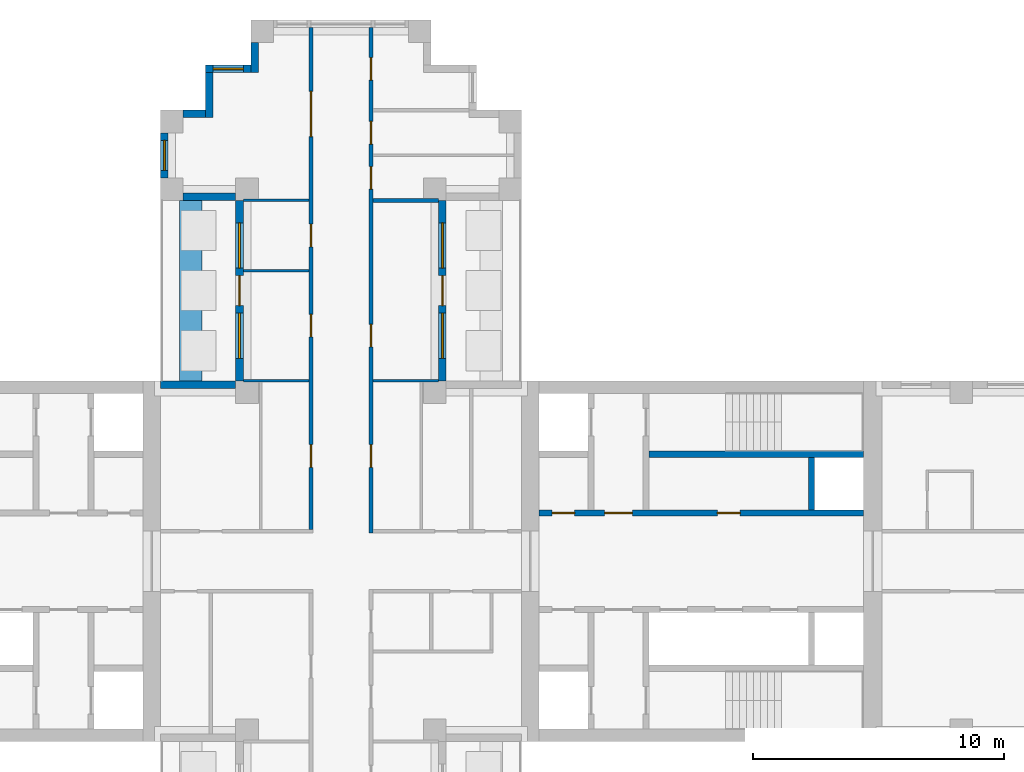
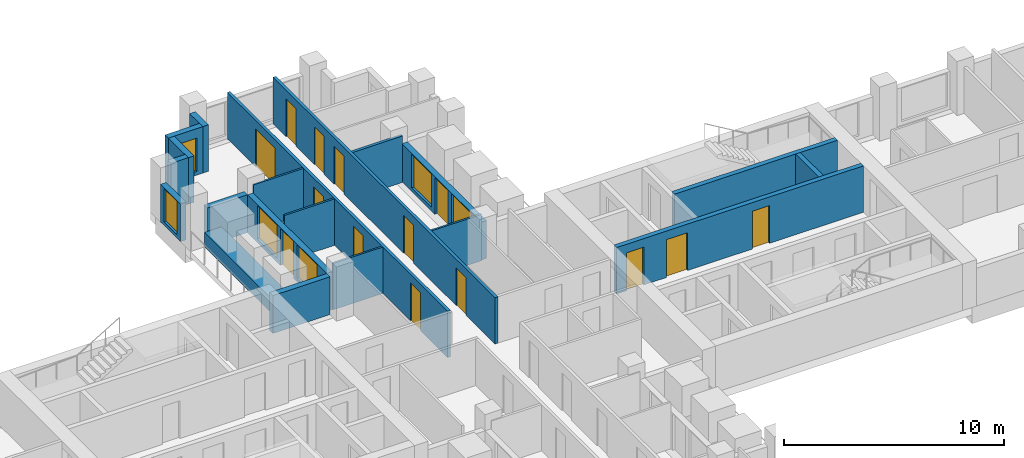
# One storey, part 9 of 14: 20 walls, 14 doors, 6 windows, 20 openings.
"""IFC4 building model written with IfcOpenShell, lengths in metres."""

import ifcopenshell
import ifcopenshell.guid

model = None  # the IFC model being written
_history = None  # IfcOwnerHistory: only IFC2X3 demands one
_inside = {}  # id of a spatial element -> (the spatial element, [elements in it])
_under = {}  # id of a project, library or spatial element -> (it, [spatial elements below it])
_declared = {}  # id of a project -> (the project, [libraries it declares])
_typed = {}  # id of a type object -> (the type object, [elements of that type])
_made_of = {}  # id of a material, layer set ... -> (it, [elements and type objects made of it])


def new_model(schema):
    """Start an empty IFC model of exactly this schema.

    Asked for "IFC4X3", IfcOpenShell would pick the latest addendum, in which some entities
    have other attributes; the version numbers below select the first issue.
    IFC2X3 requires an IfcOwnerHistory on every rooted entity: one is made here for all.
    """
    global model, _history
    if schema == "IFC4X3":
        model = ifcopenshell.file(schema_version=(4, 3, 0, 0))
    else:
        model = ifcopenshell.file(schema=schema)
    _inside.clear()
    _under.clear()
    _declared.clear()
    _typed.clear()
    _made_of.clear()
    _history = None
    if model.schema == "IFC2X3":
        org = make("IfcOrganization", Name="unknown")
        user = make(
            "IfcPersonAndOrganization",
            ThePerson=make("IfcPerson", FamilyName="unknown"),
            TheOrganization=org,
        )
        app = make(
            "IfcApplication",
            ApplicationDeveloper=org,
            Version="unknown",
            ApplicationFullName="unknown",
            ApplicationIdentifier="unknown",
        )
        _history = make(
            "IfcOwnerHistory",
            OwningUser=user,
            OwningApplication=app,
            ChangeAction="ADDED",
            CreationDate=0,
        )
    return model


def make(cls, **values):
    """One entity of the class cls with the attributes given. An attribute that is None is left unset."""
    return model.create_entity(
        cls, **{name: value for name, value in values.items() if value is not None}
    )


def rooted(cls, **values):
    """An entity with a GlobalId (a new one), such as an element, a storey or a relation."""
    return make(cls, GlobalId=ifcopenshell.guid.new(), OwnerHistory=_history, **values)


def si_unit(unit_type, name, prefix=None):
    """IfcSIUnit, for example si_unit("LENGTHUNIT", "METRE", prefix="MILLI")."""
    return make("IfcSIUnit", UnitType=unit_type, Prefix=prefix, Name=name)


def assignment(units):
    """IfcUnitAssignment: the units of a project."""
    return None if units is None else make("IfcUnitAssignment", Units=units)


def point(xyz):
    """IfcCartesianPoint."""
    return None if xyz is None else make("IfcCartesianPoint", Coordinates=xyz)


def direction(xyz):
    """IfcDirection."""
    return None if xyz is None else make("IfcDirection", DirectionRatios=xyz)


def frame(location, z_axis=None, x_axis=None):
    """IfcAxis2Placement3D, a coordinate frame: its origin and axes. An axis left out is left unset."""
    return make(
        "IfcAxis2Placement3D",
        Location=point(location),
        Axis=direction(z_axis),
        RefDirection=direction(x_axis),
    )


def frame_2d(location, x_axis=None):
    """IfcAxis2Placement2D, a coordinate frame in the plane: its origin and x axis."""
    return make(
        "IfcAxis2Placement2D", Location=point(location), RefDirection=direction(x_axis)
    )


def origin():
    """The frame at (0, 0, 0) with its axes left unset."""
    return frame((0.0, 0.0, 0.0))


def place(relative_to, where):
    """IfcLocalPlacement: puts the frame where relative to a parent placement (None: the world)."""
    return make(
        "IfcLocalPlacement", PlacementRelTo=relative_to, RelativePlacement=where
    )


def context(
    kind, dimensions, precision=None, world=None, true_north=None, identifier=None
):
    """IfcGeometricRepresentationContext, for example the 3D "Model" context."""
    return make(
        "IfcGeometricRepresentationContext",
        ContextIdentifier=identifier,
        ContextType=kind,
        CoordinateSpaceDimension=dimensions,
        Precision=precision,
        WorldCoordinateSystem=world,
        TrueNorth=true_north,
    )


def subcontext(parent, identifier, kind, view, scale=None):
    """IfcGeometricRepresentationSubContext, for example "Body" below "Model"."""
    return make(
        "IfcGeometricRepresentationSubContext",
        ContextIdentifier=identifier,
        ContextType=kind,
        ParentContext=parent,
        TargetScale=scale,
        TargetView=view,
    )


def project(units=None, contexts=None):
    """IfcProject with its units and contexts."""
    return rooted(
        "IfcProject",
        Name="project",
        RepresentationContexts=contexts,
        UnitsInContext=assignment(units),
    )


def spatial(cls, under=None, at=None, **own):
    """A site, building, storey or space (cls), placed at a placement, below another one or the project."""
    s = rooted(cls, ObjectPlacement=at, **own)
    if under is not None:
        _under.setdefault(under.id(), (under, []))[1].append(s)
    return s


def profile(cls, at=None, kind="AREA", **sizes):
    """A parametric profile (cls). Its sizes go by their IFC names, for example OverallWidth=200.0."""
    return make(cls, ProfileType=kind, Position=at, **sizes)


def rectangle(**sizes):
    """IfcRectangleProfileDef."""
    return profile("IfcRectangleProfileDef", **sizes)


def extrude(swept, where, along, depth):
    """IfcExtrudedAreaSolid: the profile swept, set in the frame where, extruded along a direction by depth."""
    return make(
        "IfcExtrudedAreaSolid",
        SweptArea=swept,
        Position=where,
        ExtrudedDirection=direction(along),
        Depth=depth,
    )


def shape(context_of_items, identifier, shape_type, items):
    """IfcShapeRepresentation: the items that make up one representation, for example the "Body"."""
    return make(
        "IfcShapeRepresentation",
        ContextOfItems=context_of_items,
        RepresentationIdentifier=identifier,
        RepresentationType=shape_type,
        Items=items,
    )


def material(Name=None, Category=None):
    """IfcMaterial."""
    return make("IfcMaterial", Name=Name, Category=Category)


def layer(
    of_material, thickness, ventilated=None, Name=None, Category=None, Priority=None
):
    """IfcMaterialLayer: one layer of a wall or slab, of a material (None: an air gap)."""
    return make(
        "IfcMaterialLayer",
        Material=of_material,
        LayerThickness=thickness,
        IsVentilated=ventilated,
        Name=Name,
        Category=Category,
        Priority=Priority,
    )


def layer_set(layers, Name=None):
    """IfcMaterialLayerSet."""
    return make("IfcMaterialLayerSet", MaterialLayers=layers, LayerSetName=Name)


def made_of(thing, what):
    """Note that an element or type object is made of a material, layer set ...; save() writes the relation."""
    if what is not None:
        _made_of.setdefault(what.id(), (what, []))[1].append(thing)
    return thing


def type_object(cls, material=None, **own):
    """A type object (cls), such as IfcWallType, which elements share."""
    return made_of(rooted(cls, **own), material)


def element(
    cls,
    number,
    at=None,
    inside=None,
    cuts=None,
    type_object=None,
    material=None,
    context=None,
    identifier="Body",
    shape_type=None,
    held_by="IfcProductDefinitionShape",
    body=None,
    shapes=None,
    **own,
):
    """One element of the class cls, such as IfcWall. Its Tag is "e" and its number.

    at: its placement. inside: the storey or other place that contains it. cuts: it is an
    opening in that element (IfcRelVoidsElement). A single representation is given by context,
    identifier, shape_type and body (its items); several are given by shapes. held_by: the class
    of the entity that holds the representations. save() writes the other relations.
    """
    e = rooted(cls, Tag="e%d" % number, ObjectPlacement=at, **own)
    if body is not None:
        shapes = [shape(context, identifier, shape_type, body)]
    if shapes is not None:
        e.Representation = make(held_by, Representations=shapes)
    if inside is not None:
        _inside.setdefault(inside.id(), (inside, []))[1].append(e)
    if cuts is not None:
        rooted(
            "IfcRelVoidsElement", RelatingBuildingElement=cuts, RelatedOpeningElement=e
        )
    if type_object is not None:
        _typed.setdefault(type_object.id(), (type_object, []))[1].append(e)
    return made_of(e, material)


def fill(opening, filler):
    """IfcRelFillsElement: the door or window that sits in an opening."""
    return rooted(
        "IfcRelFillsElement",
        RelatingOpeningElement=opening,
        RelatedBuildingElement=filler,
    )


def aggregate(whole, parts):
    """IfcRelAggregates: a whole, such as a stair, and the parts it consists of."""
    return rooted("IfcRelAggregates", RelatingObject=whole, RelatedObjects=parts)


def save(model, path):
    """Write the relations noted so far, then the file.

    IfcRelAggregates (storeys below a building ...), IfcRelContainedInSpatialStructure (elements
    in a storey), IfcRelDefinesByType, IfcRelAssociatesMaterial and IfcRelDeclares: one each for
    every whole, place, type object, material and project.
    """
    for whole, parts in _under.values():
        aggregate(whole, parts)
    for where, things in _inside.values():
        rooted(
            "IfcRelContainedInSpatialStructure",
            RelatedElements=things,
            RelatingStructure=where,
        )
    for kind, things in _typed.values():
        rooted("IfcRelDefinesByType", RelatedObjects=things, RelatingType=kind)
    for what, things in _made_of.values():
        rooted("IfcRelAssociatesMaterial", RelatedObjects=things, RelatingMaterial=what)
    for by, libraries in _declared.values():
        rooted("IfcRelDeclares", RelatingContext=by, RelatedDefinitions=libraries)
    model.write(path)


model = new_model("IFC4")

# Units and contexts
model_context = context("Model", 3, precision=1e-05, world=origin(), true_north=direction((0.0, 1.0)))
body_context = subcontext(model_context, "Body", "Model", "MODEL_VIEW")
ifc_project = project(units=[si_unit("LENGTHUNIT", "METRE"), si_unit("AREAUNIT", "SQUARE_METRE"), si_unit("VOLUMEUNIT", "CUBIC_METRE"), si_unit("PLANEANGLEUNIT", "RADIAN"), si_unit("MASSUNIT", "GRAM", prefix="KILO")], contexts=[model_context])

# Site, building, storey
site_placement = place(None, origin())
site = spatial("IfcSite", under=ifc_project, at=site_placement, CompositionType="ELEMENT")
building_placement = place(site_placement, origin())
building = spatial("IfcBuilding", under=site, at=building_placement, Name="Fustian Cross Tower", CompositionType="ELEMENT")
storey_placement = place(building_placement, frame((0.0, 0.0, 99.89990234375)))
storey = spatial("IfcBuildingStorey", under=building, at=storey_placement, Name="L31", CompositionType="ELEMENT", Elevation=99.89990234375)

# Wall, openings, doors
ifc_material_1 = material(Name="Plasterboard on steel stud", Category="steel")
ifc_layer_1 = layer(ifc_material_1, 0.14990234375)
ifc_layer_set_1 = layer_set([ifc_layer_1], Name="Plasterboard on steel stud")
wall_type_1 = type_object("IfcWallType", Name="COMPARTMENT WALL 150 EI 60", PredefinedType="PARTITIONING", material=ifc_layer_set_1)
wall_1_placement = place(storey_placement, frame((-1.199951171875, 1.27490234375, 0.0), z_axis=(0.0, 0.0, 1.0), x_axis=(0.0, 1.0, 0.0)))
wall_1 = element("IfcWall", 1, at=wall_1_placement, inside=storey, type_object=wall_type_1, Name="Partition 42", PredefinedType="PARTITIONING", context=body_context, shape_type="SweptSolid", body=[
    extrude(rectangle(XDim=20.025146484375, YDim=0.14990234375, at=frame_2d((10.0126953125, 0.0))), origin(), (0.0, 0.0, 1.0), 2.5751953125),
])
opening_1_placement = place(wall_1_placement, frame((2.47509765625, 0.0, 0.0)))
opening_1 = element("IfcOpeningElement", 2, at=opening_1_placement, cuts=wall_1, Name="Opening D14004", PredefinedType="OPENING", context=body_context, shape_type="SweptSolid", body=[
    extrude(rectangle(XDim=0.89990234375, YDim=2.10009765625, at=frame_2d((0.449951171875, 1.050048828125))), frame((0.0, 0.0849609375, 0.0), z_axis=(0.0, -1.0, 0.0), x_axis=(1.0, 0.0, 0.0)), (0.0, 0.0, 1.0), 0.169921875),
])
opening_2_placement = place(wall_1_placement, frame((11.27490234375, 0.0, 0.0)))
opening_2 = element("IfcOpeningElement", 3, at=opening_2_placement, cuts=wall_1, Name="Opening D14020", PredefinedType="OPENING", context=body_context, shape_type="SweptSolid", body=[
    extrude(rectangle(XDim=0.89990234375, YDim=2.10009765625, at=frame_2d((0.449951171875, 1.050048828125))), frame((0.0, 0.0849609375, 0.0), z_axis=(0.0, -1.0, 0.0), x_axis=(1.0, 0.0, 0.0)), (0.0, 0.0, 1.0), 0.169921875),
])
opening_3_placement = place(wall_1_placement, frame((7.675048828125, 0.0, 0.0)))
opening_3 = element("IfcOpeningElement", 4, at=opening_3_placement, cuts=wall_1, Name="Opening D14021", PredefinedType="OPENING", context=body_context, shape_type="SweptSolid", body=[
    extrude(rectangle(XDim=0.89990234375, YDim=2.10009765625, at=frame_2d((0.449951171875, 1.050048828125))), frame((0.0, 0.0849609375, 0.0), z_axis=(0.0, -1.0, 0.0), x_axis=(1.0, 0.0, 0.0)), (0.0, 0.0, 1.0), 0.169921875),
])
opening_4_placement = place(wall_1_placement, frame((15.675048828125, 0.0, 0.0)))
opening_4 = element("IfcOpeningElement", 5, at=opening_4_placement, cuts=wall_1, Name="Opening D14022", PredefinedType="OPENING", context=body_context, shape_type="SweptSolid", body=[
    extrude(rectangle(XDim=1.800048828125, YDim=2.10009765625, at=frame_2d((0.89990234375, 1.050048828125))), frame((0.0, 0.0849609375, 0.0), z_axis=(0.0, -1.0, 0.0), x_axis=(1.0, 0.0, 0.0)), (0.0, 0.0, 1.0), 0.169921875),
])
ifc_material_2 = material(Name="Timber fire door set", Category="wood")
door_type_1 = type_object("IfcDoorType", Name="FIRE DOUBLE DOOR 1800 FD30S", OperationType="DOUBLE_DOOR_DOUBLE_SWING", PredefinedType="DOOR", material=ifc_material_2)
door_1_placement = place(opening_4_placement, frame((1.800048828125, 0.0, 0.0), z_axis=(0.0, 0.0, 1.0), x_axis=(-1.0, 0.0, 0.0)))
door_1 = element("IfcDoor", 6, at=door_1_placement, inside=storey, type_object=door_type_1, Name="Door D14022", OperationType="DOUBLE_DOOR_DOUBLE_SWING", OverallHeight=2.10009765625, OverallWidth=1.800048828125, PredefinedType="DOOR", context=body_context, shape_type="SweptSolid", body=[
    extrude(rectangle(XDim=1.800048828125, YDim=2.10009765625, at=frame_2d((0.89990234375, 1.050048828125))), frame((0.0, 0.02490234375, 0.0), z_axis=(0.0, -1.0, 0.0), x_axis=(1.0, 0.0, 0.0)), (0.0, 0.0, 1.0), 0.050048828125),
])
fill(opening_4, door_1)
ifc_material_3 = material(Name="Timber fire door set", Category="wood")
door_type_2 = type_object("IfcDoorType", Name="FIRE SWING DOOR 900 FD30S", OperationType="SINGLE_SWING_LEFT", PredefinedType="DOOR", material=ifc_material_3)
door_2_placement = place(opening_1_placement, origin())
door_2 = element("IfcDoor", 7, at=door_2_placement, inside=storey, type_object=door_type_2, Name="Door D14004", OperationType="SINGLE_SWING_LEFT", OverallHeight=2.10009765625, OverallWidth=0.89990234375, PredefinedType="DOOR", context=body_context, shape_type="SweptSolid", body=[
    extrude(rectangle(XDim=0.89990234375, YDim=2.10009765625, at=frame_2d((0.449951171875, 1.050048828125))), frame((0.0, 0.02490234375, 0.0), z_axis=(0.0, -1.0, 0.0), x_axis=(1.0, 0.0, 0.0)), (0.0, 0.0, 1.0), 0.050048828125),
])
fill(opening_1, door_2)
door_3_placement = place(opening_2_placement, origin())
door_3 = element("IfcDoor", 8, at=door_3_placement, inside=storey, type_object=door_type_2, Name="Door D14020", OperationType="SINGLE_SWING_LEFT", OverallHeight=2.10009765625, OverallWidth=0.89990234375, PredefinedType="DOOR", context=body_context, shape_type="SweptSolid", body=[
    extrude(rectangle(XDim=0.89990234375, YDim=2.10009765625, at=frame_2d((0.449951171875, 1.050048828125))), frame((0.0, 0.02490234375, 0.0), z_axis=(0.0, -1.0, 0.0), x_axis=(1.0, 0.0, 0.0)), (0.0, 0.0, 1.0), 0.050048828125),
])
fill(opening_2, door_3)
door_4_placement = place(opening_3_placement, origin())
door_4 = element("IfcDoor", 9, at=door_4_placement, inside=storey, type_object=door_type_2, Name="Door D14021", OperationType="SINGLE_SWING_LEFT", OverallHeight=2.10009765625, OverallWidth=0.89990234375, PredefinedType="DOOR", context=body_context, shape_type="SweptSolid", body=[
    extrude(rectangle(XDim=0.89990234375, YDim=2.10009765625, at=frame_2d((0.449951171875, 1.050048828125))), frame((0.0, 0.02490234375, 0.0), z_axis=(0.0, -1.0, 0.0), x_axis=(1.0, 0.0, 0.0)), (0.0, 0.0, 1.0), 0.050048828125),
])
fill(opening_3, door_4)

wall_2_placement = place(storey_placement, frame((1.199951171875, 1.125, 0.0), z_axis=(0.0, 0.0, 1.0), x_axis=(0.0, 1.0, 0.0)))
wall_2 = element("IfcWall", 10, at=wall_2_placement, inside=storey, type_object=wall_type_1, Name="Partition 50", PredefinedType="PARTITIONING", context=body_context, shape_type="SweptSolid", body=[
    extrude(rectangle(XDim=20.175048828125, YDim=0.14990234375, at=frame_2d((10.08740234375, 0.0))), origin(), (0.0, 0.0, 1.0), 2.5751953125),
])
opening_5_placement = place(wall_2_placement, frame((2.625, 0.0, 0.0)))
opening_5 = element("IfcOpeningElement", 11, at=opening_5_placement, cuts=wall_2, Name="Opening D14001", PredefinedType="OPENING", context=body_context, shape_type="SweptSolid", body=[
    extrude(rectangle(XDim=0.89990234375, YDim=2.10009765625, at=frame_2d((0.449951171875, 1.050048828125))), frame((0.0, 0.0849609375, 0.0), z_axis=(0.0, -1.0, 0.0), x_axis=(1.0, 0.0, 0.0)), (0.0, 0.0, 1.0), 0.169921875),
])
opening_6_placement = place(wall_2_placement, frame((7.425048828125, 0.0, 0.0)))
opening_6 = element("IfcOpeningElement", 12, at=opening_6_placement, cuts=wall_2, Name="Opening D14023", PredefinedType="OPENING", context=body_context, shape_type="SweptSolid", body=[
    extrude(rectangle(XDim=0.89990234375, YDim=2.10009765625, at=frame_2d((0.449951171875, 1.050048828125))), frame((0.0, 0.0849609375, 0.0), z_axis=(0.0, -1.0, 0.0), x_axis=(1.0, 0.0, 0.0)), (0.0, 0.0, 1.0), 0.169921875),
])
opening_7_placement = place(wall_2_placement, frame((13.72509765625, 0.0, 0.0)))
opening_7 = element("IfcOpeningElement", 13, at=opening_7_placement, cuts=wall_2, Name="Opening D14024", PredefinedType="OPENING", context=body_context, shape_type="SweptSolid", body=[
    extrude(rectangle(XDim=0.89990234375, YDim=2.10009765625, at=frame_2d((0.449951171875, 1.050048828125))), frame((0.0, 0.0849609375, 0.0), z_axis=(0.0, -1.0, 0.0), x_axis=(1.0, 0.0, 0.0)), (0.0, 0.0, 1.0), 0.169921875),
])
opening_8_placement = place(wall_2_placement, frame((15.52490234375, 0.0, 0.0)))
opening_8 = element("IfcOpeningElement", 14, at=opening_8_placement, cuts=wall_2, Name="Opening D14025", PredefinedType="OPENING", context=body_context, shape_type="SweptSolid", body=[
    extrude(rectangle(XDim=0.89990234375, YDim=2.10009765625, at=frame_2d((0.449951171875, 1.050048828125))), frame((0.0, 0.0849609375, 0.0), z_axis=(0.0, -1.0, 0.0), x_axis=(1.0, 0.0, 0.0)), (0.0, 0.0, 1.0), 0.169921875),
])
opening_9_placement = place(wall_2_placement, frame((18.074951171875, 0.0, 0.0)))
opening_9 = element("IfcOpeningElement", 15, at=opening_9_placement, cuts=wall_2, Name="Opening D14026", PredefinedType="OPENING", context=body_context, shape_type="SweptSolid", body=[
    extrude(rectangle(XDim=0.89990234375, YDim=2.10009765625, at=frame_2d((0.449951171875, 1.050048828125))), frame((0.0, 0.0849609375, 0.0), z_axis=(0.0, -1.0, 0.0), x_axis=(1.0, 0.0, 0.0)), (0.0, 0.0, 1.0), 0.169921875),
])
door_5_placement = place(opening_5_placement, frame((0.89990234375, 0.0, 0.0), z_axis=(0.0, 0.0, 1.0), x_axis=(-1.0, 0.0, 0.0)))
door_5 = element("IfcDoor", 16, at=door_5_placement, inside=storey, type_object=door_type_2, Name="Door D14001", OperationType="SINGLE_SWING_RIGHT", OverallHeight=2.10009765625, OverallWidth=0.89990234375, PredefinedType="DOOR", context=body_context, shape_type="SweptSolid", body=[
    extrude(rectangle(XDim=0.89990234375, YDim=2.10009765625, at=frame_2d((0.449951171875, 1.050048828125))), frame((0.0, 0.02490234375, 0.0), z_axis=(0.0, -1.0, 0.0), x_axis=(1.0, 0.0, 0.0)), (0.0, 0.0, 1.0), 0.050048828125),
])
fill(opening_5, door_5)
door_6_placement = place(opening_6_placement, frame((0.89990234375, 0.0, 0.0), z_axis=(0.0, 0.0, 1.0), x_axis=(-1.0, 0.0, 0.0)))
door_6 = element("IfcDoor", 17, at=door_6_placement, inside=storey, type_object=door_type_2, Name="Door D14023", OperationType="SINGLE_SWING_RIGHT", OverallHeight=2.10009765625, OverallWidth=0.89990234375, PredefinedType="DOOR", context=body_context, shape_type="SweptSolid", body=[
    extrude(rectangle(XDim=0.89990234375, YDim=2.10009765625, at=frame_2d((0.449951171875, 1.050048828125))), frame((0.0, 0.02490234375, 0.0), z_axis=(0.0, -1.0, 0.0), x_axis=(1.0, 0.0, 0.0)), (0.0, 0.0, 1.0), 0.050048828125),
])
fill(opening_6, door_6)
door_7_placement = place(opening_7_placement, frame((0.89990234375, 0.0, 0.0), z_axis=(0.0, 0.0, 1.0), x_axis=(-1.0, 0.0, 0.0)))
door_7 = element("IfcDoor", 18, at=door_7_placement, inside=storey, type_object=door_type_2, Name="Door D14024", OperationType="SINGLE_SWING_LEFT", OverallHeight=2.10009765625, OverallWidth=0.89990234375, PredefinedType="DOOR", context=body_context, shape_type="SweptSolid", body=[
    extrude(rectangle(XDim=0.89990234375, YDim=2.10009765625, at=frame_2d((0.449951171875, 1.050048828125))), frame((0.0, 0.02490234375, 0.0), z_axis=(0.0, -1.0, 0.0), x_axis=(1.0, 0.0, 0.0)), (0.0, 0.0, 1.0), 0.050048828125),
])
fill(opening_7, door_7)
door_8_placement = place(opening_8_placement, frame((0.89990234375, 0.0, 0.0), z_axis=(0.0, 0.0, 1.0), x_axis=(-1.0, 0.0, 0.0)))
door_8 = element("IfcDoor", 19, at=door_8_placement, inside=storey, type_object=door_type_2, Name="Door D14025", OperationType="SINGLE_SWING_LEFT", OverallHeight=2.10009765625, OverallWidth=0.89990234375, PredefinedType="DOOR", context=body_context, shape_type="SweptSolid", body=[
    extrude(rectangle(XDim=0.89990234375, YDim=2.10009765625, at=frame_2d((0.449951171875, 1.050048828125))), frame((0.0, 0.02490234375, 0.0), z_axis=(0.0, -1.0, 0.0), x_axis=(1.0, 0.0, 0.0)), (0.0, 0.0, 1.0), 0.050048828125),
])
fill(opening_8, door_8)
door_9_placement = place(opening_9_placement, frame((0.89990234375, 0.0, 0.0), z_axis=(0.0, 0.0, 1.0), x_axis=(-1.0, 0.0, 0.0)))
door_9 = element("IfcDoor", 20, at=door_9_placement, inside=storey, type_object=door_type_2, Name="Door D14026", OperationType="SINGLE_SWING_RIGHT", OverallHeight=2.10009765625, OverallWidth=0.89990234375, PredefinedType="DOOR", context=body_context, shape_type="SweptSolid", body=[
    extrude(rectangle(XDim=0.89990234375, YDim=2.10009765625, at=frame_2d((0.449951171875, 1.050048828125))), frame((0.0, 0.02490234375, 0.0), z_axis=(0.0, -1.0, 0.0), x_axis=(1.0, 0.0, 0.0)), (0.0, 0.0, 1.0), 0.050048828125),
])
fill(opening_9, door_9)

# Wall
wall_3_placement = place(storey_placement, frame((1.27490234375, 14.39990234375, 0.0), z_axis=(0.0, 0.0, 1.0), x_axis=(1.0, 0.0, 0.0)))
element("IfcWall", 21, at=wall_3_placement, inside=storey, type_object=wall_type_1, Name="Partition 53", PredefinedType="PARTITIONING", context=body_context, shape_type="SweptSolid", body=[
    extrude(rectangle(XDim=2.625, YDim=0.14990234375, at=frame_2d((1.3125, 0.0))), origin(), (0.0, 0.0, 1.0), 2.5751953125),
])

# Wall, openings, doors
ifc_material_4 = material(Name="Concrete C50/60", Category="concrete")
ifc_layer_2 = layer(ifc_material_4, 0.25)
ifc_layer_set_2 = layer_set([ifc_layer_2], Name="Concrete C50/60")
wall_type_2 = type_object("IfcWallType", Name="CORE LOBBY WALL 250 C50/60", PredefinedType="SHEAR", material=ifc_layer_set_2)
wall_4_placement = place(storey_placement, frame((7.89990234375, 1.925048828125, 0.0), z_axis=(0.0, 0.0, 1.0), x_axis=(1.0, 0.0, 0.0)))
wall_4 = element("IfcWall", 22, at=wall_4_placement, inside=storey, type_object=wall_type_2, Name="Core lobby wall", PredefinedType="SHEAR", context=body_context, shape_type="SweptSolid", body=[
    extrude(rectangle(XDim=12.9501953125, YDim=0.25, at=frame_2d((6.47509765625, 0.0))), origin(), (0.0, 0.0, 1.0), 2.5751953125),
])
opening_10_placement = place(wall_4_placement, frame((0.52490234375, 0.0, 0.0)))
opening_10 = element("IfcOpeningElement", 23, at=opening_10_placement, cuts=wall_4, Name="Opening CD-09-08", PredefinedType="OPENING", context=body_context, shape_type="SweptSolid", body=[
    extrude(rectangle(XDim=0.89990234375, YDim=2.10009765625, at=frame_2d((0.449951171875, 1.050048828125))), frame((0.0, 0.135009765625, 0.0), z_axis=(0.0, -1.0, 0.0), x_axis=(1.0, 0.0, 0.0)), (0.0, 0.0, 1.0), 0.27001953125),
])
opening_11_placement = place(wall_4_placement, frame((2.625, 0.0, 0.0)))
opening_11 = element("IfcOpeningElement", 24, at=opening_11_placement, cuts=wall_4, Name="Opening CD-09-10", PredefinedType="OPENING", context=body_context, shape_type="SweptSolid", body=[
    extrude(rectangle(XDim=1.10009765625, YDim=2.10009765625, at=frame_2d((0.550048828125, 1.050048828125))), frame((0.0, 0.135009765625, 0.0), z_axis=(0.0, -1.0, 0.0), x_axis=(1.0, 0.0, 0.0)), (0.0, 0.0, 1.0), 0.27001953125),
])
opening_12_placement = place(wall_4_placement, frame((7.125, 0.0, 0.0)))
opening_12 = element("IfcOpeningElement", 25, at=opening_12_placement, cuts=wall_4, Name="Opening CD-09-14", PredefinedType="OPENING", context=body_context, shape_type="SweptSolid", body=[
    extrude(rectangle(XDim=0.89990234375, YDim=2.10009765625, at=frame_2d((0.449951171875, 1.050048828125))), frame((0.0, 0.135009765625, 0.0), z_axis=(0.0, -1.0, 0.0), x_axis=(1.0, 0.0, 0.0)), (0.0, 0.0, 1.0), 0.27001953125),
])
ifc_material_5 = material(Name="Steel", Category="steel")
door_type_3 = type_object("IfcDoorType", Name="FIRE DOOR FD30S 900X2100", OperationType="SINGLE_SWING_LEFT", PredefinedType="DOOR", material=ifc_material_5)
door_10_placement = place(opening_12_placement, origin())
door_10 = element("IfcDoor", 26, at=door_10_placement, inside=storey, type_object=door_type_3, Name="Core door CD-09-14", OperationType="SINGLE_SWING_LEFT", OverallHeight=2.10009765625, OverallWidth=0.89990234375, PredefinedType="DOOR", context=body_context, shape_type="SweptSolid", body=[
    extrude(rectangle(XDim=0.89990234375, YDim=2.10009765625, at=frame_2d((0.449951171875, 1.050048828125))), frame((0.0, 0.02490234375, 0.0), z_axis=(0.0, -1.0, 0.0), x_axis=(1.0, 0.0, 0.0)), (0.0, 0.0, 1.0), 0.050048828125),
])
fill(opening_12, door_10)
ifc_material_6 = material(Name="Steel", Category="steel")
door_type_4 = type_object("IfcDoorType", Name="FIRE DOOR FD60S 1100X2100", OperationType="SINGLE_SWING_LEFT", PredefinedType="DOOR", material=ifc_material_6)
door_11_placement = place(opening_11_placement, frame((1.10009765625, 0.0, 0.0), z_axis=(0.0, 0.0, 1.0), x_axis=(-1.0, 0.0, 0.0)))
door_11 = element("IfcDoor", 27, at=door_11_placement, inside=storey, type_object=door_type_4, Name="Core door CD-09-10", OperationType="SINGLE_SWING_RIGHT", OverallHeight=2.10009765625, OverallWidth=1.10009765625, PredefinedType="DOOR", context=body_context, shape_type="SweptSolid", body=[
    extrude(rectangle(XDim=1.10009765625, YDim=2.10009765625, at=frame_2d((0.550048828125, 1.050048828125))), frame((0.0, 0.02490234375, 0.0), z_axis=(0.0, -1.0, 0.0), x_axis=(1.0, 0.0, 0.0)), (0.0, 0.0, 1.0), 0.050048828125),
])
fill(opening_11, door_11)
ifc_material_7 = material(Name="Steel", Category="steel")
door_type_5 = type_object("IfcDoorType", Name="FIRE DOOR FD60S 900X2100", OperationType="SINGLE_SWING_LEFT", PredefinedType="DOOR", material=ifc_material_7)
door_12_placement = place(opening_10_placement, origin())
door_12 = element("IfcDoor", 28, at=door_12_placement, inside=storey, type_object=door_type_5, Name="Core door CD-09-08", OperationType="SINGLE_SWING_LEFT", OverallHeight=2.10009765625, OverallWidth=0.89990234375, PredefinedType="DOOR", context=body_context, shape_type="SweptSolid", body=[
    extrude(rectangle(XDim=0.89990234375, YDim=2.10009765625, at=frame_2d((0.449951171875, 1.050048828125))), frame((0.0, 0.02490234375, 0.0), z_axis=(0.0, -1.0, 0.0), x_axis=(1.0, 0.0, 0.0)), (0.0, 0.0, 1.0), 0.050048828125),
])
fill(opening_10, door_12)

# Walls
ifc_material_8 = material(Name="Concrete C50/60", Category="concrete")
ifc_layer_3 = layer(ifc_material_8, 0.25)
ifc_layer_set_3 = layer_set([ifc_layer_3], Name="Concrete C50/60")
wall_type_3 = type_object("IfcWallType", Name="CORE SHAFT WALL 250 C50/60", PredefinedType="SHEAR", material=ifc_layer_set_3)
wall_5_placement = place(storey_placement, frame((12.300048828125, 4.27490234375, 0.0), z_axis=(0.0, 0.0, 1.0), x_axis=(1.0, 0.0, 0.0)))
element("IfcWall", 29, at=wall_5_placement, inside=storey, type_object=wall_type_3, Name="Core shaft wall", PredefinedType="SHEAR", context=body_context, shape_type="SweptSolid", body=[
    extrude(rectangle(XDim=8.550048828125, YDim=0.25, at=frame_2d((4.27490234375, 0.0))), origin(), (0.0, 0.0, 1.0), 2.5751953125),
])
ifc_material_9 = material(Name="Plasterboard on steel stud", Category="steel")
ifc_layer_4 = layer(ifc_material_9, 0.10009765625)
ifc_layer_set_4 = layer_set([ifc_layer_4], Name="Plasterboard on steel stud")
wall_type_4 = type_object("IfcWallType", Name="PARTITION 100 STUD", PredefinedType="PARTITIONING", material=ifc_layer_set_4)
for number, where, z_axis, x_axis, name in (
    (30, (-3.89990234375, 7.199951171875, 0.0), (0.0, 0.0, 1.0), (1.0, 0.0, 0.0), "Partition 35"),
    (31, (-3.89990234375, 11.60009765625, 0.0), (0.0, 0.0, 1.0), (1.0, 0.0, 0.0), "Partition 36"),
    (32, (-3.89990234375, 14.39990234375, 0.0), (0.0, 0.0, 1.0), (1.0, 0.0, 0.0), "Partition 37"),
    (33, (1.27490234375, 7.199951171875, 0.0), (0.0, 0.0, 1.0), (1.0, 0.0, 0.0), "Partition 52"),
):
    element("IfcWall", number, at=place(storey_placement, frame(where, z_axis=z_axis, x_axis=x_axis)), inside=storey, type_object=wall_type_4, Name=name, PredefinedType="PARTITIONING", context=body_context, shape_type="SweptSolid", body=[
        extrude(rectangle(XDim=2.625, YDim=0.10009765625, at=frame_2d((1.3125, 0.0))), origin(), (0.0, 0.0, 1.0), 2.5751953125),
    ])
ifc_material_10 = material(Name="Concrete C40/50", Category="concrete")
ifc_layer_5 = layer(ifc_material_10, 0.89990234375)
ifc_layer_set_5 = layer_set([ifc_layer_5], Name="Concrete C40/50")
wall_type_5 = type_object("IfcWallType", Name="PK1 PLANTER 900", PredefinedType="PARAPET", material=ifc_layer_set_5)
wall_6_placement = place(storey_placement, frame((-6.0, 7.199951171875, 0.0), z_axis=(0.0, 0.0, 1.0), x_axis=(0.0, 1.0, 0.0)))
element("IfcWall", 34, at=wall_6_placement, inside=storey, type_object=wall_type_5, Name="PLANTER", PredefinedType="PARAPET", context=body_context, shape_type="SweptSolid", body=[
    extrude(rectangle(XDim=7.199951171875, YDim=0.89990234375, at=frame_2d((3.60009765625, 0.0))), origin(), (0.0, 0.0, 1.0), 0.800048828125),
])
ifc_material_11 = material(Name="Concrete C40/50", Category="concrete")
ifc_layer_6 = layer(ifc_material_11, 0.25)
ifc_layer_set_6 = layer_set([ifc_layer_6], Name="Concrete C40/50")
wall_type_6 = type_object("IfcWallType", Name="SHAFT PARTITION WALL 250 C40/50", PredefinedType="PARTITIONING", material=ifc_layer_set_6)
wall_7_placement = place(storey_placement, frame((18.77490234375, 2.050048828125, 0.0), z_axis=(0.0, 0.0, 1.0), x_axis=(0.0, 1.0, 0.0)))
element("IfcWall", 35, at=wall_7_placement, inside=storey, type_object=wall_type_6, Name="Core shaft wall", PredefinedType="PARTITIONING", context=body_context, shape_type="SweptSolid", body=[
    extrude(rectangle(XDim=2.099853515625, YDim=0.25, at=frame_2d((1.0498046875, 0.0))), origin(), (0.0, 0.0, 1.0), 2.5751953125),
])

# Wall, openings, door, windows
ifc_material_12 = material(Name="Dark aluminium cladding on insulated backing wall", Category="aluminium")
ifc_layer_7 = layer(ifc_material_12, 0.300048828125)
ifc_layer_set_7 = layer_set([ifc_layer_7], Name="Dark aluminium cladding on insulated backing wall")
wall_type_7 = type_object("IfcWallType", Name="XW1 EXTERNAL WALL 300", PredefinedType="SOLIDWALL", material=ifc_layer_set_7)
wall_8_placement = place(storey_placement, frame((4.050048828125, 7.199951171875, 0.0), z_axis=(0.0, 0.0, 1.0), x_axis=(0.0, 1.0, 0.0)))
wall_8 = element("IfcWall", 36, at=wall_8_placement, inside=storey, type_object=wall_type_7, Name="External wall", PredefinedType="SOLIDWALL", context=body_context, shape_type="SweptSolid", body=[
    extrude(rectangle(XDim=7.199951171875, YDim=0.300048828125, at=frame_2d((3.60009765625, 0.0))), origin(), (0.0, 0.0, 1.0), 2.10009765625),
])
opening_13_placement = place(wall_8_placement, frame((3.0, 0.0, 0.0)))
opening_13 = element("IfcOpeningElement", 37, at=opening_13_placement, cuts=wall_8, Name="Opening XD1", PredefinedType="OPENING", context=body_context, shape_type="SweptSolid", body=[
    extrude(rectangle(XDim=1.199951171875, YDim=2.050048828125, at=frame_2d((0.60009765625, 1.02490234375))), frame((0.0, 0.159912109375, 0.0), z_axis=(0.0, -1.0, 0.0), x_axis=(1.0, 0.0, 0.0)), (0.0, 0.0, 1.0), 0.320068359375),
])
opening_14_placement = place(wall_8_placement, frame((0.89990234375, 0.0, 0.199951171875)))
opening_14 = element("IfcOpeningElement", 38, at=opening_14_placement, cuts=wall_8, Name="Opening WN2", PredefinedType="OPENING", context=body_context, shape_type="SweptSolid", body=[
    extrude(rectangle(XDim=1.800048828125, YDim=1.85009765625, at=frame_2d((0.89990234375, 0.925048828125))), frame((0.0, 0.159912109375, 0.0), z_axis=(0.0, -1.0, 0.0), x_axis=(1.0, 0.0, 0.0)), (0.0, 0.0, 1.0), 0.320068359375),
])
opening_15_placement = place(wall_8_placement, frame((4.5, 0.0, 0.199951171875)))
opening_15 = element("IfcOpeningElement", 39, at=opening_15_placement, cuts=wall_8, Name="Opening WN2", PredefinedType="OPENING", context=body_context, shape_type="SweptSolid", body=[
    extrude(rectangle(XDim=1.800048828125, YDim=1.85009765625, at=frame_2d((0.89990234375, 0.925048828125))), frame((0.0, 0.159912109375, 0.0), z_axis=(0.0, -1.0, 0.0), x_axis=(1.0, 0.0, 0.0)), (0.0, 0.0, 1.0), 0.320068359375),
])
ifc_material_13 = material(Name="Dark anodised aluminium and double glazing", Category="aluminium")
door_type_6 = type_object("IfcDoorType", Name="ED1 BALCONY DOOR 1200X2050", OperationType="SINGLE_SWING_LEFT", PredefinedType="DOOR", material=ifc_material_13)
door_13_placement = place(opening_13_placement, origin())
door_13 = element("IfcDoor", 40, at=door_13_placement, inside=storey, type_object=door_type_6, Name="Balcony door", OperationType="SINGLE_SWING_LEFT", OverallHeight=2.050048828125, OverallWidth=1.199951171875, PredefinedType="DOOR", context=body_context, shape_type="SweptSolid", body=[
    extrude(rectangle(XDim=1.199951171875, YDim=2.050048828125, at=frame_2d((0.60009765625, 1.02490234375))), frame((0.0, 0.02490234375, 0.0), z_axis=(0.0, -1.0, 0.0), x_axis=(1.0, 0.0, 0.0)), (0.0, 0.0, 1.0), 0.050048828125),
])
fill(opening_13, door_13)
ifc_material_14 = material(Name="Dark anodised aluminium and double glazing", Category="aluminium")
window_type_1 = type_object("IfcWindowType", Name="WN2 WINDOW 1800X1850", PartitioningType="SINGLE_PANEL", PredefinedType="WINDOW", material=ifc_material_14)
window_1_placement = place(opening_14_placement, origin())
window_1 = element("IfcWindow", 41, at=window_1_placement, inside=storey, type_object=window_type_1, Name="Window", OverallHeight=1.85009765625, OverallWidth=1.800048828125, PartitioningType="SINGLE_PANEL", PredefinedType="WINDOW", context=body_context, shape_type="SweptSolid", body=[
    extrude(rectangle(XDim=1.800048828125, YDim=1.85009765625, at=frame_2d((0.89990234375, 0.925048828125))), frame((0.0, 0.030029296875, 0.0), z_axis=(0.0, -1.0, 0.0), x_axis=(1.0, 0.0, 0.0)), (0.0, 0.0, 1.0), 0.06005859375),
])
fill(opening_14, window_1)
window_2_placement = place(opening_15_placement, origin())
window_2 = element("IfcWindow", 42, at=window_2_placement, inside=storey, type_object=window_type_1, Name="Window", OverallHeight=1.85009765625, OverallWidth=1.800048828125, PartitioningType="SINGLE_PANEL", PredefinedType="WINDOW", context=body_context, shape_type="SweptSolid", body=[
    extrude(rectangle(XDim=1.800048828125, YDim=1.85009765625, at=frame_2d((0.89990234375, 0.925048828125))), frame((0.0, 0.030029296875, 0.0), z_axis=(0.0, -1.0, 0.0), x_axis=(1.0, 0.0, 0.0)), (0.0, 0.0, 1.0), 0.06005859375),
])
fill(opening_15, window_2)

# Wall
wall_9_placement = place(storey_placement, frame((-3.449951171875, 20.699951171875, 0.0), z_axis=(0.0, 0.0, 1.0), x_axis=(0.0, -1.0, 0.0)))
element("IfcWall", 43, at=wall_9_placement, inside=storey, type_object=wall_type_7, Name="External wall", PredefinedType="SOLIDWALL", context=body_context, shape_type="SweptSolid", body=[
    extrude(rectangle(XDim=1.199951171875, YDim=0.300048828125, at=frame_2d((0.60009765625, 0.0))), origin(), (0.0, 0.0, 1.0), 2.5751953125),
])

# Wall, opening, window
wall_10_placement = place(storey_placement, frame((-3.60009765625, 19.64990234375, 0.0), z_axis=(0.0, 0.0, 1.0), x_axis=(-1.0, 0.0, 0.0)))
wall_10 = element("IfcWall", 44, at=wall_10_placement, inside=storey, type_object=wall_type_7, Name="External wall", PredefinedType="SOLIDWALL", context=body_context, shape_type="SweptSolid", body=[
    extrude(rectangle(XDim=1.7998046875, YDim=0.300048828125, at=frame_2d((0.89990234375, 0.0))), origin(), (0.0, 0.0, 1.0), 2.5751953125),
])
opening_16_placement = place(wall_10_placement, frame((0.300048828125, 0.0, 0.199951171875)))
opening_16 = element("IfcOpeningElement", 45, at=opening_16_placement, cuts=wall_10, Name="Opening WN3", PredefinedType="OPENING", context=body_context, shape_type="SweptSolid", body=[
    extrude(rectangle(XDim=1.199951171875, YDim=1.85009765625, at=frame_2d((0.60009765625, 0.925048828125))), frame((0.0, 0.159912109375, 0.0), z_axis=(0.0, -1.0, 0.0), x_axis=(1.0, 0.0, 0.0)), (0.0, 0.0, 1.0), 0.320068359375),
])
ifc_material_15 = material(Name="Dark anodised aluminium and double glazing", Category="aluminium")
window_type_2 = type_object("IfcWindowType", Name="WN3 WINDOW 1200X1850", PartitioningType="SINGLE_PANEL", PredefinedType="WINDOW", material=ifc_material_15)
window_3_placement = place(opening_16_placement, origin())
window_3 = element("IfcWindow", 46, at=window_3_placement, inside=storey, type_object=window_type_2, Name="Window", OverallHeight=1.85009765625, OverallWidth=1.199951171875, PartitioningType="SINGLE_PANEL", PredefinedType="WINDOW", context=body_context, shape_type="SweptSolid", body=[
    extrude(rectangle(XDim=1.199951171875, YDim=1.85009765625, at=frame_2d((0.60009765625, 0.925048828125))), frame((0.0, 0.030029296875, 0.0), z_axis=(0.0, -1.0, 0.0), x_axis=(1.0, 0.0, 0.0)), (0.0, 0.0, 1.0), 0.06005859375),
])
fill(opening_16, window_3)

# Walls
wall_11_placement = place(storey_placement, frame((-5.25, 19.5, 0.0), z_axis=(0.0, 0.0, 1.0), x_axis=(0.0, -1.0, 0.0)))
element("IfcWall", 47, at=wall_11_placement, inside=storey, type_object=wall_type_7, Name="External wall", PredefinedType="SOLIDWALL", context=body_context, shape_type="SweptSolid", body=[
    extrude(rectangle(XDim=1.800048828125, YDim=0.300048828125, at=frame_2d((0.89990234375, 0.0))), origin(), (0.0, 0.0, 1.0), 2.5751953125),
])
wall_12_placement = place(storey_placement, frame((-5.39990234375, 17.85009765625, 0.0), z_axis=(0.0, 0.0, 1.0), x_axis=(-1.0, 0.0, 0.0)))
element("IfcWall", 48, at=wall_12_placement, inside=storey, type_object=wall_type_7, Name="External wall", PredefinedType="SOLIDWALL", context=body_context, shape_type="SweptSolid", body=[
    extrude(rectangle(XDim=0.900146484375, YDim=0.300048828125, at=frame_2d((0.4501953125, 0.0))), origin(), (0.0, 0.0, 1.0), 2.5751953125),
])

# Wall, opening, window
wall_13_placement = place(storey_placement, frame((-7.050048828125, 17.10009765625, 0.0), z_axis=(0.0, 0.0, 1.0), x_axis=(0.0, -1.0, 0.0)))
wall_13 = element("IfcWall", 49, at=wall_13_placement, inside=storey, type_object=wall_type_7, Name="External wall", PredefinedType="SOLIDWALL", context=body_context, shape_type="SweptSolid", body=[
    extrude(rectangle(XDim=1.800048828125, YDim=0.300048828125, at=frame_2d((0.89990234375, 0.0))), origin(), (0.0, 0.0, 1.0), 2.10009765625),
])
opening_17_placement = place(wall_13_placement, frame((0.300048828125, 0.0, 0.199951171875)))
opening_17 = element("IfcOpeningElement", 50, at=opening_17_placement, cuts=wall_13, Name="Opening WN3", PredefinedType="OPENING", context=body_context, shape_type="SweptSolid", body=[
    extrude(rectangle(XDim=1.199951171875, YDim=1.85009765625, at=frame_2d((0.60009765625, 0.925048828125))), frame((0.0, 0.159912109375, 0.0), z_axis=(0.0, -1.0, 0.0), x_axis=(1.0, 0.0, 0.0)), (0.0, 0.0, 1.0), 0.320068359375),
])
window_4_placement = place(opening_17_placement, origin())
window_4 = element("IfcWindow", 51, at=window_4_placement, inside=storey, type_object=window_type_2, Name="Window", OverallHeight=1.85009765625, OverallWidth=1.199951171875, PartitioningType="SINGLE_PANEL", PredefinedType="WINDOW", context=body_context, shape_type="SweptSolid", body=[
    extrude(rectangle(XDim=1.199951171875, YDim=1.85009765625, at=frame_2d((0.60009765625, 0.925048828125))), frame((0.0, 0.030029296875, 0.0), z_axis=(0.0, -1.0, 0.0), x_axis=(1.0, 0.0, 0.0)), (0.0, 0.0, 1.0), 0.06005859375),
])
fill(opening_17, window_4)

# Wall
wall_14_placement = place(storey_placement, frame((-6.300048828125, 14.550048828125, 0.0), z_axis=(0.0, 0.0, 1.0), x_axis=(1.0, 0.0, 0.0)))
element("IfcWall", 52, at=wall_14_placement, inside=storey, type_object=wall_type_7, Name="External wall", PredefinedType="SOLIDWALL", context=body_context, shape_type="SweptSolid", body=[
    extrude(rectangle(XDim=2.10009765625, YDim=0.300048828125, at=frame_2d((1.050048828125, 0.0))), origin(), (0.0, 0.0, 1.0), 2.10009765625),
])

# Wall, openings, door, windows
wall_15_placement = place(storey_placement, frame((-4.050048828125, 14.39990234375, 0.0), z_axis=(0.0, 0.0, 1.0), x_axis=(0.0, -1.0, 0.0)))
wall_15 = element("IfcWall", 53, at=wall_15_placement, inside=storey, type_object=wall_type_7, Name="External wall", PredefinedType="SOLIDWALL", context=body_context, shape_type="SweptSolid", body=[
    extrude(rectangle(XDim=7.199951171875, YDim=0.300048828125, at=frame_2d((3.60009765625, 0.0))), origin(), (0.0, 0.0, 1.0), 2.10009765625),
])
opening_18_placement = place(wall_15_placement, frame((3.0, 0.0, 0.0)))
opening_18 = element("IfcOpeningElement", 54, at=opening_18_placement, cuts=wall_15, Name="Opening XD2", PredefinedType="OPENING", context=body_context, shape_type="SweptSolid", body=[
    extrude(rectangle(XDim=1.199951171875, YDim=2.050048828125, at=frame_2d((0.60009765625, 1.02490234375))), frame((0.0, 0.159912109375, 0.0), z_axis=(0.0, -1.0, 0.0), x_axis=(1.0, 0.0, 0.0)), (0.0, 0.0, 1.0), 0.320068359375),
])
opening_19_placement = place(wall_15_placement, frame((0.89990234375, 0.0, 0.199951171875)))
opening_19 = element("IfcOpeningElement", 55, at=opening_19_placement, cuts=wall_15, Name="Opening WN2", PredefinedType="OPENING", context=body_context, shape_type="SweptSolid", body=[
    extrude(rectangle(XDim=1.800048828125, YDim=1.85009765625, at=frame_2d((0.89990234375, 0.925048828125))), frame((0.0, 0.159912109375, 0.0), z_axis=(0.0, -1.0, 0.0), x_axis=(1.0, 0.0, 0.0)), (0.0, 0.0, 1.0), 0.320068359375),
])
opening_20_placement = place(wall_15_placement, frame((4.5, 0.0, 0.199951171875)))
opening_20 = element("IfcOpeningElement", 56, at=opening_20_placement, cuts=wall_15, Name="Opening WN2", PredefinedType="OPENING", context=body_context, shape_type="SweptSolid", body=[
    extrude(rectangle(XDim=1.800048828125, YDim=1.85009765625, at=frame_2d((0.89990234375, 0.925048828125))), frame((0.0, 0.159912109375, 0.0), z_axis=(0.0, -1.0, 0.0), x_axis=(1.0, 0.0, 0.0)), (0.0, 0.0, 1.0), 0.320068359375),
])
door_14_placement = place(opening_18_placement, origin())
door_14 = element("IfcDoor", 57, at=door_14_placement, inside=storey, type_object=door_type_6, Name="Balcony door", OperationType="SINGLE_SWING_LEFT", OverallHeight=2.050048828125, OverallWidth=1.199951171875, PredefinedType="DOOR", context=body_context, shape_type="SweptSolid", body=[
    extrude(rectangle(XDim=1.199951171875, YDim=2.050048828125, at=frame_2d((0.60009765625, 1.02490234375))), frame((0.0, 0.02490234375, 0.0), z_axis=(0.0, -1.0, 0.0), x_axis=(1.0, 0.0, 0.0)), (0.0, 0.0, 1.0), 0.050048828125),
])
fill(opening_18, door_14)
window_5_placement = place(opening_19_placement, origin())
window_5 = element("IfcWindow", 58, at=window_5_placement, inside=storey, type_object=window_type_1, Name="Window", OverallHeight=1.85009765625, OverallWidth=1.800048828125, PartitioningType="SINGLE_PANEL", PredefinedType="WINDOW", context=body_context, shape_type="SweptSolid", body=[
    extrude(rectangle(XDim=1.800048828125, YDim=1.85009765625, at=frame_2d((0.89990234375, 0.925048828125))), frame((0.0, 0.030029296875, 0.0), z_axis=(0.0, -1.0, 0.0), x_axis=(1.0, 0.0, 0.0)), (0.0, 0.0, 1.0), 0.06005859375),
])
fill(opening_19, window_5)
window_6_placement = place(opening_20_placement, origin())
window_6 = element("IfcWindow", 59, at=window_6_placement, inside=storey, type_object=window_type_1, Name="Window", OverallHeight=1.85009765625, OverallWidth=1.800048828125, PartitioningType="SINGLE_PANEL", PredefinedType="WINDOW", context=body_context, shape_type="SweptSolid", body=[
    extrude(rectangle(XDim=1.800048828125, YDim=1.85009765625, at=frame_2d((0.89990234375, 0.925048828125))), frame((0.0, 0.030029296875, 0.0), z_axis=(0.0, -1.0, 0.0), x_axis=(1.0, 0.0, 0.0)), (0.0, 0.0, 1.0), 0.06005859375),
])
fill(opening_20, window_6)

# Wall
wall_16_placement = place(storey_placement, frame((-4.199951171875, 7.050048828125, 0.0), z_axis=(0.0, 0.0, 1.0), x_axis=(-1.0, 0.0, 0.0)))
element("IfcWall", 60, at=wall_16_placement, inside=storey, type_object=wall_type_7, Name="External wall", PredefinedType="SOLIDWALL", context=body_context, shape_type="SweptSolid", body=[
    extrude(rectangle(XDim=3.0, YDim=0.300048828125, at=frame_2d((1.5, 0.0))), origin(), (0.0, 0.0, 1.0), 2.10009765625),
])

save(model, "model.ifc")
